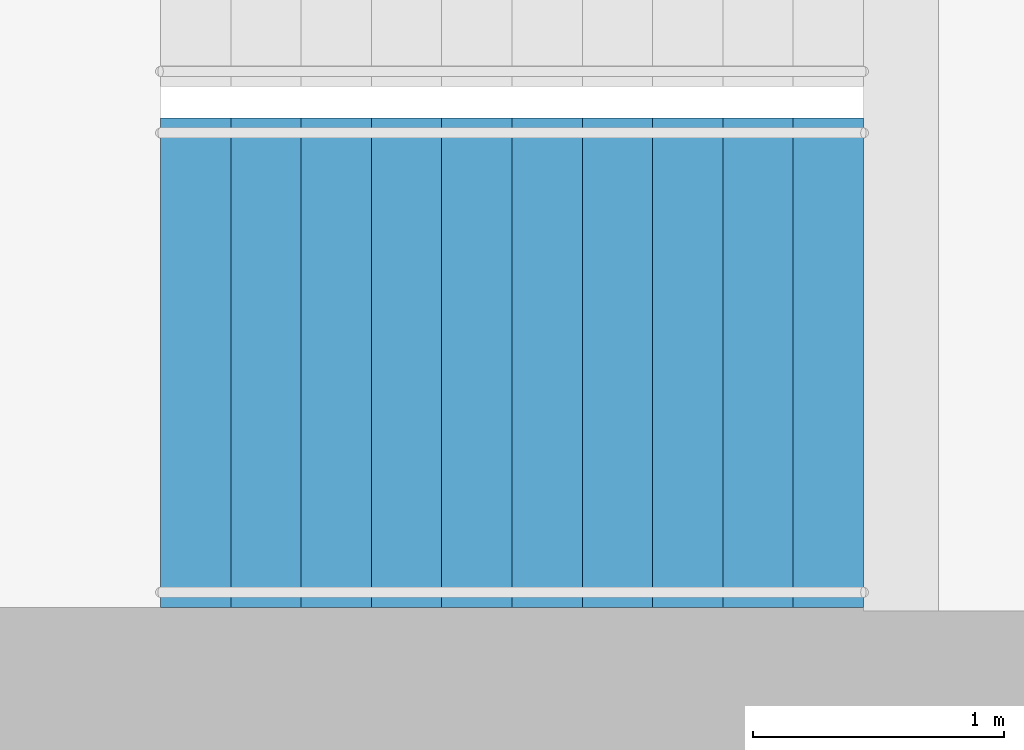
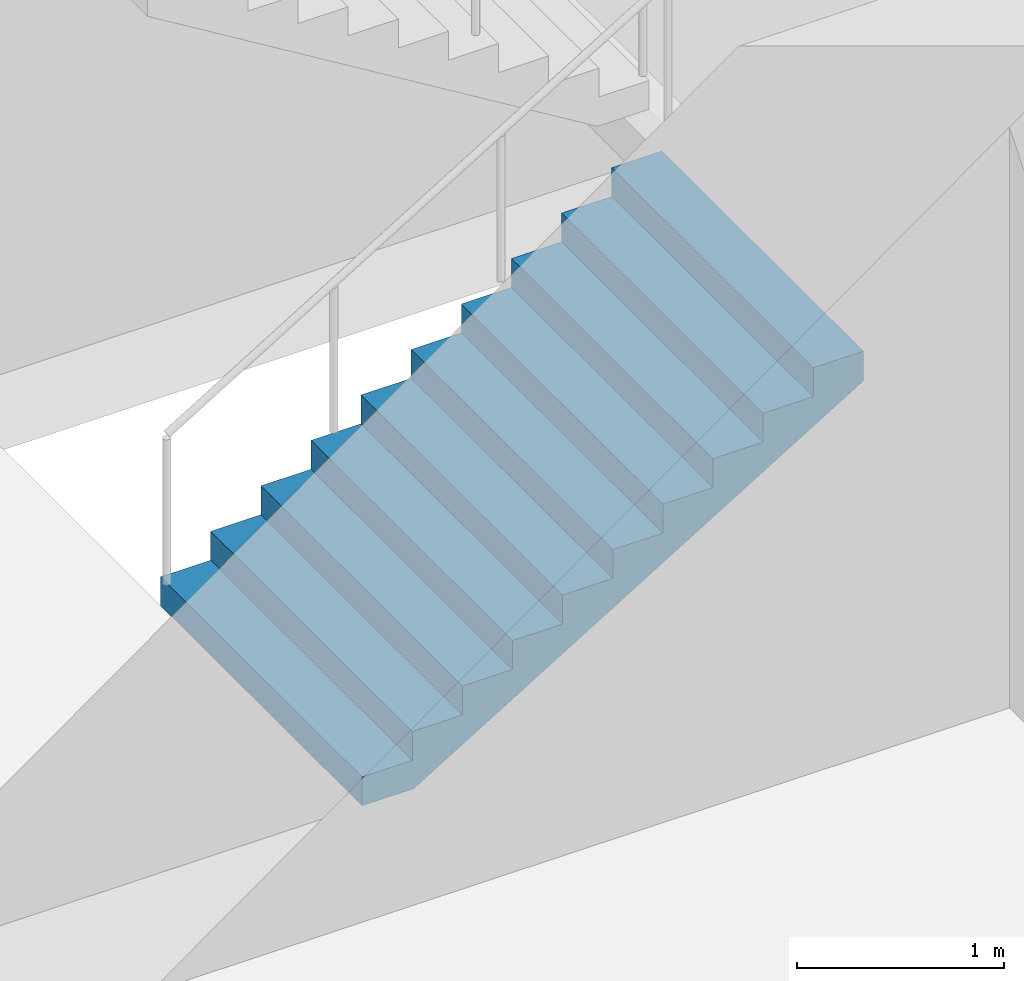
# One storey, part 22 of 27: 1 stair flight, 1 element without a shape of its own.
"""IFC4 building model written with IfcOpenShell, lengths in metres."""

from ifc_helpers import new_model, si_unit, direction, frame, origin, place, context, subcontext, project, spatial, triangles, material, type_object, element, aggregate, save


model = new_model("IFC4")

# Units and contexts
model_context = context("Model", 3, precision=1e-05, world=origin(), true_north=direction((0.0, 1.0)))
body_context = subcontext(model_context, "Body", "Model", "MODEL_VIEW")
ifc_project = project(units=[si_unit("LENGTHUNIT", "METRE"), si_unit("AREAUNIT", "SQUARE_METRE"), si_unit("VOLUMEUNIT", "CUBIC_METRE"), si_unit("PLANEANGLEUNIT", "RADIAN"), si_unit("MASSUNIT", "GRAM", prefix="KILO")], contexts=[model_context])

# Site, building, storey
site_placement = place(None, origin())
site = spatial("IfcSite", under=ifc_project, at=site_placement, CompositionType="ELEMENT")
building_placement = place(site_placement, origin())
building = spatial("IfcBuilding", under=site, at=building_placement, Name="Orbita Commons", CompositionType="ELEMENT")
storey_placement = place(building_placement, frame((0.0, 0.0, 178.60009765625)))
storey = spatial("IfcBuildingStorey", under=building, at=storey_placement, Name="L44", CompositionType="ELEMENT", Elevation=178.60009765625)

# Stair, stair flight
ifc_material_1 = material(Name="Precast concrete C40/50", Category="concrete")
stair_type = type_object("IfcStairType", Name="Exit stair S1 2 flights 11 risers 170", PredefinedType="HALF_TURN_STAIR", material=ifc_material_1)
stair_placement = place(storey_placement, origin())
stair = element("IfcStair", 1, at=stair_placement, inside=storey, type_object=stair_type, Name="Exit stair S1 L44", PredefinedType="HALF_TURN_STAIR")
ifc_material_2 = material(Name="Precast concrete C40/50", Category="concrete")
stair_flight_type = type_object("IfcStairFlightType", Name="Stair flight 11 risers 170 x 280", PredefinedType="STRAIGHT", material=ifc_material_2)
stair_flight_placement = place(storey_placement, frame((20.449951171875, 27.199951171875, 0.0), z_axis=(0.0, 0.0, 1.0), x_axis=(1.0, 0.0, 0.0)))
stair_flight = element("IfcStairFlight", 2, at=stair_flight_placement, type_object=stair_flight_type, Name="S1 flight 1", NumberOfRisers=11, NumberOfTreads=10, PredefinedType="STRAIGHT", RiserHeight=0.170454545, TreadLength=0.28, context=body_context, shape_type="Tessellation", body=[
    triangles([(0.0, 0.974976, 0.0), (0.0, 0.974976, 0.021307), (0.0, 0.81248, 0.021307), (0.0, 0.81248, 0.0), (0.0, 0.649984, 0.021307), (0.0, 0.649984, 0.0), (0.0, 0.487488, 0.021307), (0.0, 0.487488, 0.0), (0.0, 0.324992, 0.021307), (0.0, 0.324992, 0.0), (0.0, 0.162496, 0.021307), (0.0, 0.162496, 0.0), (0.0, 0.0, 0.021307), (0.0, 0.0, 0.0), (0.0, -0.162496, 0.021307), (0.0, -0.162496, 0.0), (0.0, -0.324992, 0.021307), (0.0, -0.324992, 0.0), (0.0, -0.487488, 0.021307), (0.0, -0.487488, 0.0), (0.0, -0.649984, 0.021307), (0.0, -0.649984, 0.0), (0.0, -0.81248, 0.021307), (0.0, -0.81248, 0.0), (0.0, -0.974976, 0.021307), (0.0, -0.974976, 0.0), (0.0, 0.974976, 0.042614), (0.0, 0.81248, 0.042614), (0.0, 0.649984, 0.042614), (0.0, 0.487488, 0.042614), (0.0, 0.324992, 0.042614), (0.0, 0.162496, 0.042614), (0.0, 0.0, 0.042614), (0.0, -0.162496, 0.042614), (0.0, -0.324992, 0.042614), (0.0, -0.487488, 0.042614), (0.0, -0.649984, 0.042614), (0.0, -0.81248, 0.042614), (0.0, -0.974976, 0.042614), (0.0, 0.974976, 0.06392), (0.0, 0.81248, 0.06392), (0.0, 0.649984, 0.06392), (0.0, 0.487488, 0.06392), (0.0, 0.324992, 0.06392), (0.0, 0.162496, 0.06392), (0.0, 0.0, 0.06392), (0.0, -0.162496, 0.06392), (0.0, -0.324992, 0.06392), (0.0, -0.487488, 0.06392), (0.0, -0.649984, 0.06392), (0.0, -0.81248, 0.06392), (0.0, -0.974976, 0.06392), (0.0, 0.974976, 0.085227), (0.0, 0.81248, 0.085227), (0.0, 0.649984, 0.085227), (0.0, 0.487488, 0.085227), (0.0, 0.324992, 0.085227), (0.0, 0.162496, 0.085227), (0.0, 0.0, 0.085227), (0.0, -0.162496, 0.085227), (0.0, -0.324992, 0.085227), (0.0, -0.487488, 0.085227), (0.0, -0.649984, 0.085227), (0.0, -0.81248, 0.085227), (0.0, -0.974976, 0.085227), (0.0, 0.974976, 0.106534), (0.0, 0.81248, 0.106534), (0.0, 0.649984, 0.106534), (0.0, 0.487488, 0.106534), (0.0, 0.324992, 0.106534), (0.0, 0.162496, 0.106534), (0.0, 0.0, 0.106534), (0.0, -0.162496, 0.106534), (0.0, -0.324992, 0.106534), (0.0, -0.487488, 0.106534), (0.0, -0.649984, 0.106534), (0.0, -0.81248, 0.106534), (0.0, -0.974976, 0.106534), (0.0, 0.974976, 0.127841), (0.0, 0.81248, 0.127841), (0.0, 0.649984, 0.127841), (0.0, 0.487488, 0.127841), (0.0, 0.324992, 0.127841), (0.0, 0.162496, 0.127841), (0.0, 0.0, 0.127841), (0.0, -0.162496, 0.127841), (0.0, -0.324992, 0.127841), (0.0, -0.487488, 0.127841), (0.0, -0.649984, 0.127841), (0.0, -0.81248, 0.127841), (0.0, -0.974976, 0.127841), (0.0, 0.974976, 0.149148), (0.0, 0.81248, 0.149148), (0.0, 0.649984, 0.149148), (0.0, 0.487488, 0.149148), (0.0, 0.324992, 0.149148), (0.0, 0.162496, 0.149148), (0.0, 0.0, 0.149148), (0.0, -0.162496, 0.149148), (0.0, -0.324992, 0.149148), (0.0, -0.487488, 0.149148), (0.0, -0.649984, 0.149148), (0.0, -0.81248, 0.149148), (0.0, -0.974976, 0.149148), (0.0, 0.974976, 0.170455), (0.0, 0.81248, 0.170455), (0.0, 0.649984, 0.170455), (0.0, 0.487488, 0.170455), (0.0, 0.324992, 0.170455), (0.0, 0.162496, 0.170455), (0.0, 0.0, 0.170455), (0.0, -0.162496, 0.170455), (0.0, -0.324992, 0.170455), (0.0, -0.487488, 0.170455), (0.0, -0.649984, 0.170455), (0.0, -0.81248, 0.170455), (0.0, -0.974976, 0.170455), (0.28, 0.974976, 0.170455), (0.28, 0.81248, 0.170455), (0.28, 0.649984, 0.170455), (0.28, 0.487488, 0.170455), (0.28, 0.324992, 0.170455), (0.28, 0.162496, 0.170455), (0.28, 0.0, 0.170455), (0.28, -0.162496, 0.170455), (0.28, -0.324992, 0.170455), (0.28, -0.487488, 0.170455), (0.28, -0.649984, 0.170455), (0.28, -0.81248, 0.170455), (0.28, -0.974976, 0.170455), (0.28, 0.974976, 0.340909), (0.28, 0.81248, 0.340909), (0.28, 0.649984, 0.340909), (0.28, 0.487488, 0.340909), (0.28, 0.324992, 0.340909), (0.28, 0.162496, 0.340909), (0.28, 0.0, 0.340909), (0.28, -0.162496, 0.340909), (0.28, -0.324992, 0.340909), (0.28, -0.487488, 0.340909), (0.28, -0.649984, 0.340909), (0.28, -0.81248, 0.340909), (0.28, -0.974976, 0.340909), (0.56, 0.974976, 0.340909), (0.56, 0.81248, 0.340909), (0.56, 0.649984, 0.340909), (0.56, 0.487488, 0.340909), (0.56, 0.324992, 0.340909), (0.56, 0.162496, 0.340909), (0.56, 0.0, 0.340909), (0.56, -0.162496, 0.340909), (0.56, -0.324992, 0.340909), (0.56, -0.487488, 0.340909), (0.56, -0.649984, 0.340909), (0.56, -0.81248, 0.340909), (0.56, -0.974976, 0.340909), (0.56, 0.974976, 0.511364), (0.56, 0.81248, 0.511364), (0.56, 0.649984, 0.511364), (0.56, 0.487488, 0.511364), (0.56, 0.324992, 0.511364), (0.56, 0.162496, 0.511364), (0.56, 0.0, 0.511364), (0.56, -0.162496, 0.511364), (0.56, -0.324992, 0.511364), (0.56, -0.487488, 0.511364), (0.56, -0.649984, 0.511364), (0.56, -0.81248, 0.511364), (0.56, -0.974976, 0.511364), (0.84, 0.974976, 0.511364), (0.84, 0.81248, 0.511364), (0.84, 0.649984, 0.511364), (0.84, 0.487488, 0.511364), (0.84, 0.324992, 0.511364), (0.84, 0.162496, 0.511364), (0.84, 0.0, 0.511364), (0.84, -0.162496, 0.511364), (0.84, -0.324992, 0.511364), (0.84, -0.487488, 0.511364), (0.84, -0.649984, 0.511364), (0.84, -0.81248, 0.511364), (0.84, -0.974976, 0.511364), (0.84, 0.974976, 0.681818), (0.84, 0.81248, 0.681818), (0.84, 0.649984, 0.681818), (0.84, 0.487488, 0.681818), (0.84, 0.324992, 0.681818), (0.84, 0.162496, 0.681818), (0.84, 0.0, 0.681818), (0.84, -0.162496, 0.681818), (0.84, -0.324992, 0.681818), (0.84, -0.487488, 0.681818), (0.84, -0.649984, 0.681818), (0.84, -0.81248, 0.681818), (0.84, -0.974976, 0.681818), (1.12, 0.974976, 0.681818), (1.12, 0.81248, 0.681818), (1.12, 0.649984, 0.681818), (1.12, 0.487488, 0.681818), (1.12, 0.324992, 0.681818), (1.12, 0.162496, 0.681818), (1.12, 0.0, 0.681818), (1.12, -0.162496, 0.681818), (1.12, -0.324992, 0.681818), (1.12, -0.487488, 0.681818), (1.12, -0.649984, 0.681818), (1.12, -0.81248, 0.681818), (1.12, -0.974976, 0.681818), (1.12, 0.974976, 0.852273), (1.12, 0.81248, 0.852273), (1.12, 0.649984, 0.852273), (1.12, 0.487488, 0.852273), (1.12, 0.324992, 0.852273), (1.12, 0.162496, 0.852273), (1.12, 0.0, 0.852273), (1.12, -0.162496, 0.852273), (1.12, -0.324992, 0.852273), (1.12, -0.487488, 0.852273), (1.12, -0.649984, 0.852273), (1.12, -0.81248, 0.852273), (1.12, -0.974976, 0.852273), (1.4, 0.974976, 0.852273), (1.4, 0.81248, 0.852273), (1.4, 0.649984, 0.852273), (1.4, 0.487488, 0.852273), (1.4, 0.324992, 0.852273), (1.4, 0.162496, 0.852273), (1.4, 0.0, 0.852273), (1.4, -0.162496, 0.852273), (1.4, -0.324992, 0.852273), (1.4, -0.487488, 0.852273), (1.4, -0.649984, 0.852273), (1.4, -0.81248, 0.852273), (1.4, -0.974976, 0.852273), (1.4, 0.974976, 1.022727), (1.4, 0.81248, 1.022727), (1.4, 0.649984, 1.022727), (1.4, 0.487488, 1.022727), (1.4, 0.324992, 1.022727), (1.4, 0.162496, 1.022727), (1.4, 0.0, 1.022727), (1.4, -0.162496, 1.022727), (1.4, -0.324992, 1.022727), (1.4, -0.487488, 1.022727), (1.4, -0.649984, 1.022727), (1.4, -0.81248, 1.022727), (1.4, -0.974976, 1.022727), (1.68, 0.974976, 1.022727), (1.68, 0.81248, 1.022727), (1.68, 0.649984, 1.022727), (1.68, 0.487488, 1.022727), (1.68, 0.324992, 1.022727), (1.68, 0.162496, 1.022727), (1.68, 0.0, 1.022727), (1.68, -0.162496, 1.022727), (1.68, -0.324992, 1.022727), (1.68, -0.487488, 1.022727), (1.68, -0.649984, 1.022727), (1.68, -0.81248, 1.022727), (1.68, -0.974976, 1.022727), (1.68, 0.974976, 1.193182), (1.68, 0.81248, 1.193182), (1.68, 0.649984, 1.193182), (1.68, 0.487488, 1.193182), (1.68, 0.324992, 1.193182), (1.68, 0.162496, 1.193182), (1.68, 0.0, 1.193182), (1.68, -0.162496, 1.193182), (1.68, -0.324992, 1.193182), (1.68, -0.487488, 1.193182), (1.68, -0.649984, 1.193182), (1.68, -0.81248, 1.193182), (1.68, -0.974976, 1.193182), (1.96, 0.974976, 1.193182), (1.96, 0.81248, 1.193182), (1.96, 0.649984, 1.193182), (1.96, 0.487488, 1.193182), (1.96, 0.324992, 1.193182), (1.96, 0.162496, 1.193182), (1.96, 0.0, 1.193182), (1.96, -0.162496, 1.193182), (1.96, -0.324992, 1.193182), (1.96, -0.487488, 1.193182), (1.96, -0.649984, 1.193182), (1.96, -0.81248, 1.193182), (1.96, -0.974976, 1.193182), (1.96, 0.974976, 1.363636), (1.96, 0.81248, 1.363636), (1.96, 0.649984, 1.363636), (1.96, 0.487488, 1.363636), (1.96, 0.324992, 1.363636), (1.96, 0.162496, 1.363636), (1.96, 0.0, 1.363636), (1.96, -0.162496, 1.363636), (1.96, -0.324992, 1.363636), (1.96, -0.487488, 1.363636), (1.96, -0.649984, 1.363636), (1.96, -0.81248, 1.363636), (1.96, -0.974976, 1.363636), (2.24, 0.974976, 1.363636), (2.24, 0.81248, 1.363636), (2.24, 0.649984, 1.363636), (2.24, 0.487488, 1.363636), (2.24, 0.324992, 1.363636), (2.24, 0.162496, 1.363636), (2.24, 0.0, 1.363636), (2.24, -0.162496, 1.363636), (2.24, -0.324992, 1.363636), (2.24, -0.487488, 1.363636), (2.24, -0.649984, 1.363636), (2.24, -0.81248, 1.363636), (2.24, -0.974976, 1.363636), (2.24, 0.974976, 1.534091), (2.24, 0.81248, 1.534091), (2.24, 0.649984, 1.534091), (2.24, 0.487488, 1.534091), (2.24, 0.324992, 1.534091), (2.24, 0.162496, 1.534091), (2.24, 0.0, 1.534091), (2.24, -0.162496, 1.534091), (2.24, -0.324992, 1.534091), (2.24, -0.487488, 1.534091), (2.24, -0.649984, 1.534091), (2.24, -0.81248, 1.534091), (2.24, -0.974976, 1.534091), (2.52, 0.974976, 1.534091), (2.52, 0.81248, 1.534091), (2.52, 0.649984, 1.534091), (2.52, 0.487488, 1.534091), (2.52, 0.324992, 1.534091), (2.52, 0.162496, 1.534091), (2.52, 0.0, 1.534091), (2.52, -0.162496, 1.534091), (2.52, -0.324992, 1.534091), (2.52, -0.487488, 1.534091), (2.52, -0.649984, 1.534091), (2.52, -0.81248, 1.534091), (2.52, -0.974976, 1.534091), (2.52, 0.974976, 1.704545), (2.52, 0.81248, 1.704545), (2.52, 0.649984, 1.704545), (2.52, 0.487488, 1.704545), (2.52, 0.324992, 1.704545), (2.52, 0.162496, 1.704545), (2.52, 0.0, 1.704545), (2.52, -0.162496, 1.704545), (2.52, -0.324992, 1.704545), (2.52, -0.487488, 1.704545), (2.52, -0.649984, 1.704545), (2.52, -0.81248, 1.704545), (2.52, -0.974976, 1.704545), (2.8, 0.974976, 1.704545), (2.8, 0.81248, 1.704545), (2.8, 0.649984, 1.704545), (2.8, 0.487488, 1.704545), (2.8, 0.324992, 1.704545), (2.8, 0.162496, 1.704545), (2.8, 0.0, 1.704545), (2.8, -0.162496, 1.704545), (2.8, -0.324992, 1.704545), (2.8, -0.487488, 1.704545), (2.8, -0.649984, 1.704545), (2.8, -0.81248, 1.704545), (2.8, -0.974976, 1.704545), (2.8, 0.974976, 1.682609), (2.8, 0.81248, 1.682609), (2.8, 0.649984, 1.682609), (2.8, 0.487488, 1.682609), (2.8, 0.324992, 1.682609), (2.8, 0.162496, 1.682609), (2.8, 0.0, 1.682609), (2.8, -0.162496, 1.682609), (2.8, -0.324992, 1.682609), (2.8, -0.487488, 1.682609), (2.8, -0.649984, 1.682609), (2.8, -0.81248, 1.682609), (2.8, -0.974976, 1.682609), (2.8, 0.974976, 1.660672), (2.8, 0.81248, 1.660672), (2.8, 0.649984, 1.660672), (2.8, 0.487488, 1.660672), (2.8, 0.324992, 1.660672), (2.8, 0.162496, 1.660672), (2.8, 0.0, 1.660672), (2.8, -0.162496, 1.660672), (2.8, -0.324992, 1.660672), (2.8, -0.487488, 1.660672), (2.8, -0.649984, 1.660672), (2.8, -0.81248, 1.660672), (2.8, -0.974976, 1.660672), (2.8, 0.974976, 1.638735), (2.8, 0.81248, 1.638735), (2.8, 0.649984, 1.638735), (2.8, 0.487488, 1.638735), (2.8, 0.324992, 1.638735), (2.8, 0.162496, 1.638735), (2.8, 0.0, 1.638735), (2.8, -0.162496, 1.638735), (2.8, -0.324992, 1.638735), (2.8, -0.487488, 1.638735), (2.8, -0.649984, 1.638735), (2.8, -0.81248, 1.638735), (2.8, -0.974976, 1.638735), (2.8, 0.974976, 1.616798), (2.8, 0.81248, 1.616798), (2.8, 0.649984, 1.616798), (2.8, 0.487488, 1.616798), (2.8, 0.324992, 1.616798), (2.8, 0.162496, 1.616798), (2.8, 0.0, 1.616798), (2.8, -0.162496, 1.616798), (2.8, -0.324992, 1.616798), (2.8, -0.487488, 1.616798), (2.8, -0.649984, 1.616798), (2.8, -0.81248, 1.616798), (2.8, -0.974976, 1.616798), (2.8, 0.974976, 1.594861), (2.8, 0.81248, 1.594861), (2.8, 0.649984, 1.594861), (2.8, 0.487488, 1.594861), (2.8, 0.324992, 1.594861), (2.8, 0.162496, 1.594861), (2.8, 0.0, 1.594861), (2.8, -0.162496, 1.594861), (2.8, -0.324992, 1.594861), (2.8, -0.487488, 1.594861), (2.8, -0.649984, 1.594861), (2.8, -0.81248, 1.594861), (2.8, -0.974976, 1.594861), (2.8, 0.974976, 1.572925), (2.8, 0.81248, 1.572925), (2.8, 0.649984, 1.572925), (2.8, 0.487488, 1.572925), (2.8, 0.324992, 1.572925), (2.8, 0.162496, 1.572925), (2.8, 0.0, 1.572925), (2.8, -0.162496, 1.572925), (2.8, -0.324992, 1.572925), (2.8, -0.487488, 1.572925), (2.8, -0.649984, 1.572925), (2.8, -0.81248, 1.572925), (2.8, -0.974976, 1.572925), (2.8, 0.974976, 1.550988), (2.8, 0.81248, 1.550988), (2.8, 0.649984, 1.550988), (2.8, 0.487488, 1.550988), (2.8, 0.324992, 1.550988), (2.8, 0.162496, 1.550988), (2.8, 0.0, 1.550988), (2.8, -0.162496, 1.550988), (2.8, -0.324992, 1.550988), (2.8, -0.487488, 1.550988), (2.8, -0.649984, 1.550988), (2.8, -0.81248, 1.550988), (2.8, -0.974976, 1.550988), (2.8, 0.974976, 1.529051), (2.8, 0.81248, 1.529051), (2.8, 0.649984, 1.529051), (2.8, 0.487488, 1.529051), (2.8, 0.324992, 1.529051), (2.8, 0.162496, 1.529051), (2.8, 0.0, 1.529051), (2.8, -0.162496, 1.529051), (2.8, -0.324992, 1.529051), (2.8, -0.487488, 1.529051), (2.8, -0.649984, 1.529051), (2.8, -0.81248, 1.529051), (2.8, -0.974976, 1.529051), (0.288279, 0.974976, 0.0), (0.288279, 0.81248, 0.0), (0.288279, 0.649984, 0.0), (0.288279, 0.487488, 0.0), (0.288279, 0.324992, 0.0), (0.288279, 0.162496, 0.0), (0.288279, 0.0, 0.0), (0.288279, -0.162496, 0.0), (0.288279, -0.324992, 0.0), (0.288279, -0.487488, 0.0), (0.288279, -0.649984, 0.0), (0.288279, -0.81248, 0.0), (0.288279, -0.974976, 0.0)], [[3, 2, 1], [4, 3, 1], [5, 3, 4], [6, 5, 4], [7, 5, 6], [8, 7, 6], [9, 7, 8], [10, 9, 8], [11, 9, 10], [12, 11, 10], [13, 11, 12], [14, 13, 12], [15, 13, 14], [16, 15, 14], [17, 15, 16], [18, 17, 16], [19, 17, 18], [20, 19, 18], [21, 19, 20], [22, 21, 20], [23, 21, 22], [24, 23, 22], [25, 23, 24], [26, 25, 24], [28, 27, 2], [3, 28, 2], [29, 28, 3], [5, 29, 3], [30, 29, 5], [7, 30, 5], [31, 30, 7], [9, 31, 7], [32, 31, 9], [11, 32, 9], [33, 32, 11], [13, 33, 11], [34, 33, 13], [15, 34, 13], [35, 34, 15], [17, 35, 15], [36, 35, 17], [19, 36, 17], [37, 36, 19], [21, 37, 19], [38, 37, 21], [23, 38, 21], [39, 38, 23], [25, 39, 23], [41, 40, 27], [28, 41, 27], [42, 41, 28], [29, 42, 28], [43, 42, 29], [30, 43, 29], [44, 43, 30], [31, 44, 30], [45, 44, 31], [32, 45, 31], [46, 45, 32], [33, 46, 32], [47, 46, 33], [34, 47, 33], [48, 47, 34], [35, 48, 34], [49, 48, 35], [36, 49, 35], [50, 49, 36], [37, 50, 36], [51, 50, 37], [38, 51, 37], [52, 51, 38], [39, 52, 38], [54, 53, 40], [41, 54, 40], [55, 54, 41], [42, 55, 41], [56, 55, 42], [43, 56, 42], [57, 56, 43], [44, 57, 43], [58, 57, 44], [45, 58, 44], [59, 58, 45], [46, 59, 45], [60, 59, 46], [47, 60, 46], [61, 60, 47], [48, 61, 47], [62, 61, 48], [49, 62, 48], [63, 62, 49], [50, 63, 49], [64, 63, 50], [51, 64, 50], [65, 64, 51], [52, 65, 51], [67, 66, 53], [54, 67, 53], [68, 67, 54], [55, 68, 54], [69, 68, 55], [56, 69, 55], [70, 69, 56], [57, 70, 56], [71, 70, 57], [58, 71, 57], [72, 71, 58], [59, 72, 58], [73, 72, 59], [60, 73, 59], [74, 73, 60], [61, 74, 60], [75, 74, 61], [62, 75, 61], [76, 75, 62], [63, 76, 62], [77, 76, 63], [64, 77, 63], [78, 77, 64], [65, 78, 64], [80, 79, 66], [67, 80, 66], [81, 80, 67], [68, 81, 67], [82, 81, 68], [69, 82, 68], [83, 82, 69], [70, 83, 69], [84, 83, 70], [71, 84, 70], [85, 84, 71], [72, 85, 71], [86, 85, 72], [73, 86, 72], [87, 86, 73], [74, 87, 73], [88, 87, 74], [75, 88, 74], [89, 88, 75], [76, 89, 75], [90, 89, 76], [77, 90, 76], [91, 90, 77], [78, 91, 77], [93, 92, 79], [80, 93, 79], [94, 93, 80], [81, 94, 80], [95, 94, 81], [82, 95, 81], [96, 95, 82], [83, 96, 82], [97, 96, 83], [84, 97, 83], [98, 97, 84], [85, 98, 84], [99, 98, 85], [86, 99, 85], [100, 99, 86], [87, 100, 86], [101, 100, 87], [88, 101, 87], [102, 101, 88], [89, 102, 88], [103, 102, 89], [90, 103, 89], [104, 103, 90], [91, 104, 90], [106, 105, 92], [93, 106, 92], [107, 106, 93], [94, 107, 93], [108, 107, 94], [95, 108, 94], [109, 108, 95], [96, 109, 95], [110, 109, 96], [97, 110, 96], [111, 110, 97], [98, 111, 97], [112, 111, 98], [99, 112, 98], [113, 112, 99], [100, 113, 99], [114, 113, 100], [101, 114, 100], [115, 114, 101], [102, 115, 101], [116, 115, 102], [103, 116, 102], [117, 116, 103], [104, 117, 103], [119, 118, 105], [106, 119, 105], [120, 119, 106], [107, 120, 106], [121, 120, 107], [108, 121, 107], [122, 121, 108], [109, 122, 108], [123, 122, 109], [110, 123, 109], [124, 123, 110], [111, 124, 110], [125, 124, 111], [112, 125, 111], [126, 125, 112], [113, 126, 112], [127, 126, 113], [114, 127, 113], [128, 127, 114], [115, 128, 114], [129, 128, 115], [116, 129, 115], [130, 129, 116], [117, 130, 116], [132, 131, 118], [119, 132, 118], [133, 132, 119], [120, 133, 119], [134, 133, 120], [121, 134, 120], [135, 134, 121], [122, 135, 121], [136, 135, 122], [123, 136, 122], [137, 136, 123], [124, 137, 123], [138, 137, 124], [125, 138, 124], [139, 138, 125], [126, 139, 125], [140, 139, 126], [127, 140, 126], [141, 140, 127], [128, 141, 127], [142, 141, 128], [129, 142, 128], [143, 142, 129], [130, 143, 129], [145, 144, 131], [132, 145, 131], [146, 145, 132], [133, 146, 132], [147, 146, 133], [134, 147, 133], [148, 147, 134], [135, 148, 134], [149, 148, 135], [136, 149, 135], [150, 149, 136], [137, 150, 136], [151, 150, 137], [138, 151, 137], [152, 151, 138], [139, 152, 138], [153, 152, 139], [140, 153, 139], [154, 153, 140], [141, 154, 140], [155, 154, 141], [142, 155, 141], [156, 155, 142], [143, 156, 142], [158, 157, 144], [145, 158, 144], [159, 158, 145], [146, 159, 145], [160, 159, 146], [147, 160, 146], [161, 160, 147], [148, 161, 147], [162, 161, 148], [149, 162, 148], [163, 162, 149], [150, 163, 149], [164, 163, 150], [151, 164, 150], [165, 164, 151], [152, 165, 151], [166, 165, 152], [153, 166, 152], [167, 166, 153], [154, 167, 153], [168, 167, 154], [155, 168, 154], [169, 168, 155], [156, 169, 155], [171, 170, 157], [158, 171, 157], [172, 171, 158], [159, 172, 158], [173, 172, 159], [160, 173, 159], [174, 173, 160], [161, 174, 160], [175, 174, 161], [162, 175, 161], [176, 175, 162], [163, 176, 162], [177, 176, 163], [164, 177, 163], [178, 177, 164], [165, 178, 164], [179, 178, 165], [166, 179, 165], [180, 179, 166], [167, 180, 166], [181, 180, 167], [168, 181, 167], [182, 181, 168], [169, 182, 168], [184, 183, 170], [171, 184, 170], [185, 184, 171], [172, 185, 171], [186, 185, 172], [173, 186, 172], [187, 186, 173], [174, 187, 173], [188, 187, 174], [175, 188, 174], [189, 188, 175], [176, 189, 175], [190, 189, 176], [177, 190, 176], [191, 190, 177], [178, 191, 177], [192, 191, 178], [179, 192, 178], [193, 192, 179], [180, 193, 179], [194, 193, 180], [181, 194, 180], [195, 194, 181], [182, 195, 181], [197, 196, 183], [184, 197, 183], [198, 197, 184], [185, 198, 184], [199, 198, 185], [186, 199, 185], [200, 199, 186], [187, 200, 186], [201, 200, 187], [188, 201, 187], [202, 201, 188], [189, 202, 188], [203, 202, 189], [190, 203, 189], [204, 203, 190], [191, 204, 190], [205, 204, 191], [192, 205, 191], [206, 205, 192], [193, 206, 192], [207, 206, 193], [194, 207, 193], [208, 207, 194], [195, 208, 194], [210, 209, 196], [197, 210, 196], [211, 210, 197], [198, 211, 197], [212, 211, 198], [199, 212, 198], [213, 212, 199], [200, 213, 199], [214, 213, 200], [201, 214, 200], [215, 214, 201], [202, 215, 201], [216, 215, 202], [203, 216, 202], [217, 216, 203], [204, 217, 203], [218, 217, 204], [205, 218, 204], [219, 218, 205], [206, 219, 205], [220, 219, 206], [207, 220, 206], [221, 220, 207], [208, 221, 207], [223, 222, 209], [210, 223, 209], [224, 223, 210], [211, 224, 210], [225, 224, 211], [212, 225, 211], [226, 225, 212], [213, 226, 212], [227, 226, 213], [214, 227, 213], [228, 227, 214], [215, 228, 214], [229, 228, 215], [216, 229, 215], [230, 229, 216], [217, 230, 216], [231, 230, 217], [218, 231, 217], [232, 231, 218], [219, 232, 218], [233, 232, 219], [220, 233, 219], [234, 233, 220], [221, 234, 220], [236, 235, 222], [223, 236, 222], [237, 236, 223], [224, 237, 223], [238, 237, 224], [225, 238, 224], [239, 238, 225], [226, 239, 225], [240, 239, 226], [227, 240, 226], [241, 240, 227], [228, 241, 227], [242, 241, 228], [229, 242, 228], [243, 242, 229], [230, 243, 229], [244, 243, 230], [231, 244, 230], [245, 244, 231], [232, 245, 231], [246, 245, 232], [233, 246, 232], [247, 246, 233], [234, 247, 233], [249, 248, 235], [236, 249, 235], [250, 249, 236], [237, 250, 236], [251, 250, 237], [238, 251, 237], [252, 251, 238], [239, 252, 238], [253, 252, 239], [240, 253, 239], [254, 253, 240], [241, 254, 240], [255, 254, 241], [242, 255, 241], [256, 255, 242], [243, 256, 242], [257, 256, 243], [244, 257, 243], [258, 257, 244], [245, 258, 244], [259, 258, 245], [246, 259, 245], [260, 259, 246], [247, 260, 246], [262, 261, 248], [249, 262, 248], [263, 262, 249], [250, 263, 249], [264, 263, 250], [251, 264, 250], [265, 264, 251], [252, 265, 251], [266, 265, 252], [253, 266, 252], [267, 266, 253], [254, 267, 253], [268, 267, 254], [255, 268, 254], [269, 268, 255], [256, 269, 255], [270, 269, 256], [257, 270, 256], [271, 270, 257], [258, 271, 257], [272, 271, 258], [259, 272, 258], [273, 272, 259], [260, 273, 259], [275, 274, 261], [262, 275, 261], [276, 275, 262], [263, 276, 262], [277, 276, 263], [264, 277, 263], [278, 277, 264], [265, 278, 264], [279, 278, 265], [266, 279, 265], [280, 279, 266], [267, 280, 266], [281, 280, 267], [268, 281, 267], [282, 281, 268], [269, 282, 268], [283, 282, 269], [270, 283, 269], [284, 283, 270], [271, 284, 270], [285, 284, 271], [272, 285, 271], [286, 285, 272], [273, 286, 272], [288, 287, 274], [275, 288, 274], [289, 288, 275], [276, 289, 275], [290, 289, 276], [277, 290, 276], [291, 290, 277], [278, 291, 277], [292, 291, 278], [279, 292, 278], [293, 292, 279], [280, 293, 279], [294, 293, 280], [281, 294, 280], [295, 294, 281], [282, 295, 281], [296, 295, 282], [283, 296, 282], [297, 296, 283], [284, 297, 283], [298, 297, 284], [285, 298, 284], [299, 298, 285], [286, 299, 285], [301, 300, 287], [288, 301, 287], [302, 301, 288], [289, 302, 288], [303, 302, 289], [290, 303, 289], [304, 303, 290], [291, 304, 290], [305, 304, 291], [292, 305, 291], [306, 305, 292], [293, 306, 292], [307, 306, 293], [294, 307, 293], [308, 307, 294], [295, 308, 294], [309, 308, 295], [296, 309, 295], [310, 309, 296], [297, 310, 296], [311, 310, 297], [298, 311, 297], [312, 311, 298], [299, 312, 298], [314, 313, 300], [301, 314, 300], [315, 314, 301], [302, 315, 301], [316, 315, 302], [303, 316, 302], [317, 316, 303], [304, 317, 303], [318, 317, 304], [305, 318, 304], [319, 318, 305], [306, 319, 305], [320, 319, 306], [307, 320, 306], [321, 320, 307], [308, 321, 307], [322, 321, 308], [309, 322, 308], [323, 322, 309], [310, 323, 309], [324, 323, 310], [311, 324, 310], [325, 324, 311], [312, 325, 311], [327, 326, 313], [314, 327, 313], [328, 327, 314], [315, 328, 314], [329, 328, 315], [316, 329, 315], [330, 329, 316], [317, 330, 316], [331, 330, 317], [318, 331, 317], [332, 331, 318], [319, 332, 318], [333, 332, 319], [320, 333, 319], [334, 333, 320], [321, 334, 320], [335, 334, 321], [322, 335, 321], [336, 335, 322], [323, 336, 322], [337, 336, 323], [324, 337, 323], [338, 337, 324], [325, 338, 324], [340, 339, 326], [327, 340, 326], [341, 340, 327], [328, 341, 327], [342, 341, 328], [329, 342, 328], [343, 342, 329], [330, 343, 329], [344, 343, 330], [331, 344, 330], [345, 344, 331], [332, 345, 331], [346, 345, 332], [333, 346, 332], [347, 346, 333], [334, 347, 333], [348, 347, 334], [335, 348, 334], [349, 348, 335], [336, 349, 335], [350, 349, 336], [337, 350, 336], [351, 350, 337], [338, 351, 337], [353, 352, 339], [340, 353, 339], [354, 353, 340], [341, 354, 340], [355, 354, 341], [342, 355, 341], [356, 355, 342], [343, 356, 342], [357, 356, 343], [344, 357, 343], [358, 357, 344], [345, 358, 344], [359, 358, 345], [346, 359, 345], [360, 359, 346], [347, 360, 346], [361, 360, 347], [348, 361, 347], [362, 361, 348], [349, 362, 348], [363, 362, 349], [350, 363, 349], [364, 363, 350], [351, 364, 350], [366, 365, 352], [353, 366, 352], [367, 366, 353], [354, 367, 353], [368, 367, 354], [355, 368, 354], [369, 368, 355], [356, 369, 355], [370, 369, 356], [357, 370, 356], [371, 370, 357], [358, 371, 357], [372, 371, 358], [359, 372, 358], [373, 372, 359], [360, 373, 359], [374, 373, 360], [361, 374, 360], [375, 374, 361], [362, 375, 361], [376, 375, 362], [363, 376, 362], [377, 376, 363], [364, 377, 363], [379, 378, 365], [366, 379, 365], [380, 379, 366], [367, 380, 366], [381, 380, 367], [368, 381, 367], [382, 381, 368], [369, 382, 368], [383, 382, 369], [370, 383, 369], [384, 383, 370], [371, 384, 370], [385, 384, 371], [372, 385, 371], [386, 385, 372], [373, 386, 372], [387, 386, 373], [374, 387, 373], [388, 387, 374], [375, 388, 374], [389, 388, 375], [376, 389, 375], [390, 389, 376], [377, 390, 376], [392, 391, 378], [379, 392, 378], [393, 392, 379], [380, 393, 379], [394, 393, 380], [381, 394, 380], [395, 394, 381], [382, 395, 381], [396, 395, 382], [383, 396, 382], [397, 396, 383], [384, 397, 383], [398, 397, 384], [385, 398, 384], [399, 398, 385], [386, 399, 385], [400, 399, 386], [387, 400, 386], [401, 400, 387], [388, 401, 387], [402, 401, 388], [389, 402, 388], [403, 402, 389], [390, 403, 389], [405, 404, 391], [392, 405, 391], [406, 405, 392], [393, 406, 392], [407, 406, 393], [394, 407, 393], [408, 407, 394], [395, 408, 394], [409, 408, 395], [396, 409, 395], [410, 409, 396], [397, 410, 396], [411, 410, 397], [398, 411, 397], [412, 411, 398], [399, 412, 398], [413, 412, 399], [400, 413, 399], [414, 413, 400], [401, 414, 400], [415, 414, 401], [402, 415, 401], [416, 415, 402], [403, 416, 402], [418, 417, 404], [405, 418, 404], [419, 418, 405], [406, 419, 405], [420, 419, 406], [407, 420, 406], [421, 420, 407], [408, 421, 407], [422, 421, 408], [409, 422, 408], [423, 422, 409], [410, 423, 409], [424, 423, 410], [411, 424, 410], [425, 424, 411], [412, 425, 411], [426, 425, 412], [413, 426, 412], [427, 426, 413], [414, 427, 413], [428, 427, 414], [415, 428, 414], [429, 428, 415], [416, 429, 415], [431, 430, 417], [418, 431, 417], [432, 431, 418], [419, 432, 418], [433, 432, 419], [420, 433, 419], [434, 433, 420], [421, 434, 420], [435, 434, 421], [422, 435, 421], [436, 435, 422], [423, 436, 422], [437, 436, 423], [424, 437, 423], [438, 437, 424], [425, 438, 424], [439, 438, 425], [426, 439, 425], [440, 439, 426], [427, 440, 426], [441, 440, 427], [428, 441, 427], [442, 441, 428], [429, 442, 428], [444, 443, 430], [431, 444, 430], [445, 444, 431], [432, 445, 431], [446, 445, 432], [433, 446, 432], [447, 446, 433], [434, 447, 433], [448, 447, 434], [435, 448, 434], [449, 448, 435], [436, 449, 435], [450, 449, 436], [437, 450, 436], [451, 450, 437], [438, 451, 437], [452, 451, 438], [439, 452, 438], [453, 452, 439], [440, 453, 439], [454, 453, 440], [441, 454, 440], [455, 454, 441], [442, 455, 441], [457, 456, 443], [444, 457, 443], [458, 457, 444], [445, 458, 444], [459, 458, 445], [446, 459, 445], [460, 459, 446], [447, 460, 446], [461, 460, 447], [448, 461, 447], [462, 461, 448], [449, 462, 448], [463, 462, 449], [450, 463, 449], [464, 463, 450], [451, 464, 450], [465, 464, 451], [452, 465, 451], [466, 465, 452], [453, 466, 452], [467, 466, 453], [454, 467, 453], [468, 467, 454], [455, 468, 454], [470, 469, 456], [457, 470, 456], [471, 470, 457], [458, 471, 457], [472, 471, 458], [459, 472, 458], [473, 472, 459], [460, 473, 459], [474, 473, 460], [461, 474, 460], [475, 474, 461], [462, 475, 461], [476, 475, 462], [463, 476, 462], [477, 476, 463], [464, 477, 463], [478, 477, 464], [465, 478, 464], [479, 478, 465], [466, 479, 465], [480, 479, 466], [467, 480, 466], [481, 480, 467], [468, 481, 467], [4, 1, 469], [470, 4, 469], [6, 4, 470], [471, 6, 470], [8, 6, 471], [472, 8, 471], [10, 8, 472], [473, 10, 472], [12, 10, 473], [474, 12, 473], [14, 12, 474], [475, 14, 474], [16, 14, 475], [476, 16, 475], [18, 16, 476], [477, 18, 476], [20, 18, 477], [478, 20, 477], [22, 20, 478], [479, 22, 478], [24, 22, 479], [480, 24, 479], [26, 24, 480], [481, 26, 480], [456, 469, 1], [26, 481, 468], [443, 456, 1], [26, 468, 455], [430, 443, 1], [26, 455, 442], [417, 430, 1], [26, 442, 429], [404, 417, 1], [26, 429, 416], [391, 404, 1], [26, 416, 403], [378, 391, 1], [26, 403, 390], [365, 378, 1], [26, 390, 377], [339, 352, 365], [377, 364, 351], [326, 339, 365], [377, 351, 338], [300, 313, 326], [338, 325, 312], [300, 326, 365], [377, 338, 312], [274, 287, 300], [312, 299, 286], [274, 300, 365], [377, 312, 286], [248, 261, 274], [286, 273, 260], [248, 274, 365], [377, 286, 260], [222, 235, 248], [260, 247, 234], [222, 248, 365], [377, 260, 234], [196, 209, 222], [234, 221, 208], [196, 222, 365], [377, 234, 208], [170, 183, 196], [208, 195, 182], [170, 196, 365], [377, 208, 182], [144, 157, 170], [182, 169, 156], [144, 170, 365], [377, 182, 156], [118, 131, 144], [156, 143, 130], [118, 144, 365], [377, 156, 130], [118, 365, 1], [26, 377, 130], [92, 105, 118], [130, 117, 104], [79, 92, 118], [130, 104, 91], [66, 79, 118], [130, 91, 78], [53, 66, 118], [130, 78, 65], [40, 53, 118], [130, 65, 52], [27, 40, 118], [130, 52, 39], [2, 27, 118], [130, 39, 25], [1, 2, 118], [130, 25, 26]], closed=True),
])
aggregate(stair, [stair_flight])

save(model, "model.ifc")
